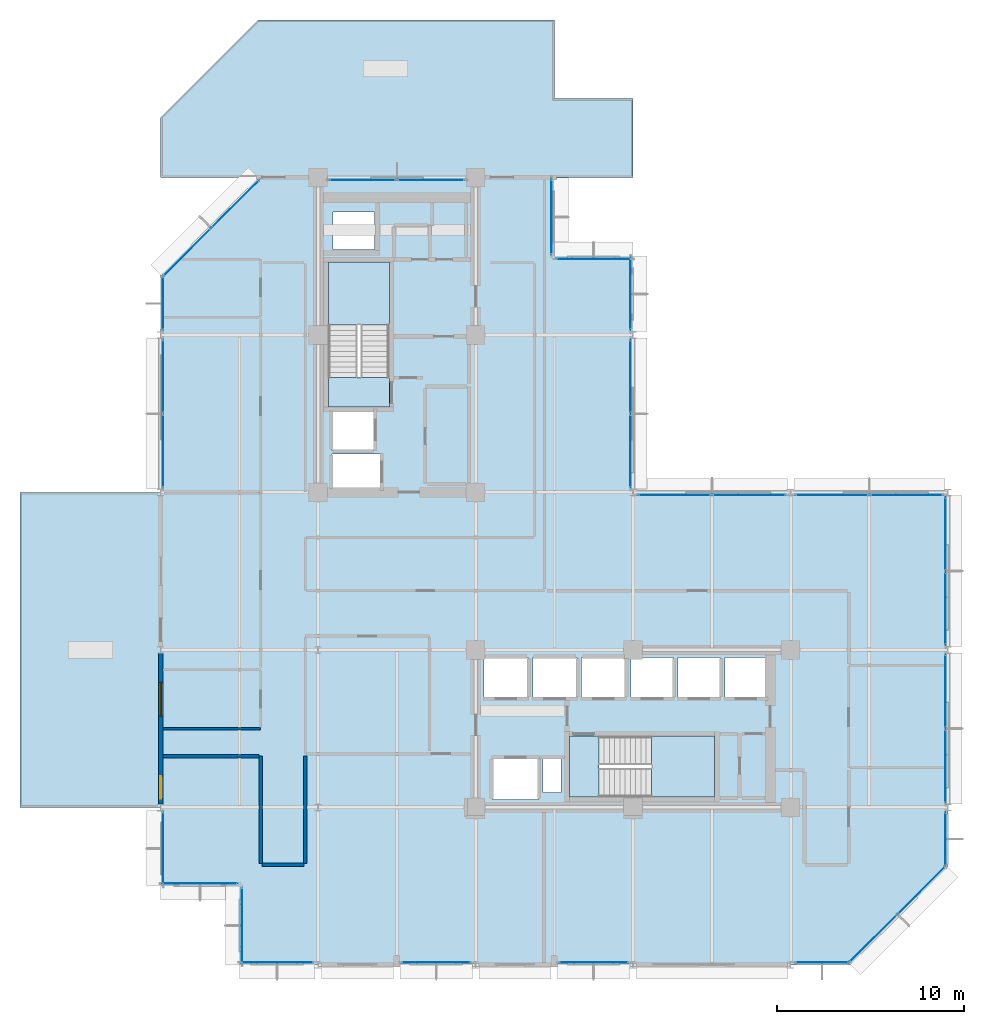
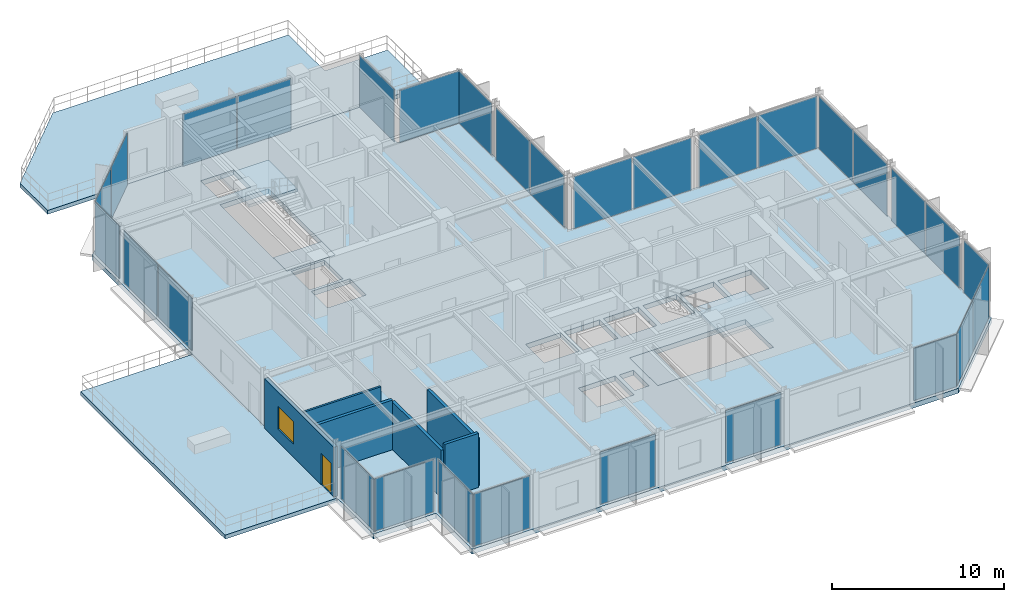
# One storey, part 14 of 21: 30 plates, 7 slabs, 6 walls, 1 door, 1 window, 2 openings, 23 elements without a shape of their own.
"""IFC4 building model written with IfcOpenShell, lengths in metres."""

import ifcopenshell
import ifcopenshell.guid

model = None  # the IFC model being written
_history = None  # IfcOwnerHistory: only IFC2X3 demands one
_inside = {}  # id of a spatial element -> (the spatial element, [elements in it])
_under = {}  # id of a project, library or spatial element -> (it, [spatial elements below it])
_declared = {}  # id of a project -> (the project, [libraries it declares])
_typed = {}  # id of a type object -> (the type object, [elements of that type])
_made_of = {}  # id of a material, layer set ... -> (it, [elements and type objects made of it])


def new_model(schema):
    """Start an empty IFC model of exactly this schema.

    Asked for "IFC4X3", IfcOpenShell would pick the latest addendum, in which some entities
    have other attributes; the version numbers below select the first issue.
    IFC2X3 requires an IfcOwnerHistory on every rooted entity: one is made here for all.
    """
    global model, _history
    if schema == "IFC4X3":
        model = ifcopenshell.file(schema_version=(4, 3, 0, 0))
    else:
        model = ifcopenshell.file(schema=schema)
    _inside.clear()
    _under.clear()
    _declared.clear()
    _typed.clear()
    _made_of.clear()
    _history = None
    if model.schema == "IFC2X3":
        org = make("IfcOrganization", Name="unknown")
        user = make(
            "IfcPersonAndOrganization",
            ThePerson=make("IfcPerson", FamilyName="unknown"),
            TheOrganization=org,
        )
        app = make(
            "IfcApplication",
            ApplicationDeveloper=org,
            Version="unknown",
            ApplicationFullName="unknown",
            ApplicationIdentifier="unknown",
        )
        _history = make(
            "IfcOwnerHistory",
            OwningUser=user,
            OwningApplication=app,
            ChangeAction="ADDED",
            CreationDate=0,
        )
    return model


def make(cls, **values):
    """One entity of the class cls with the attributes given. An attribute that is None is left unset."""
    return model.create_entity(
        cls, **{name: value for name, value in values.items() if value is not None}
    )


def rooted(cls, **values):
    """An entity with a GlobalId (a new one), such as an element, a storey or a relation."""
    return make(cls, GlobalId=ifcopenshell.guid.new(), OwnerHistory=_history, **values)


def si_unit(unit_type, name, prefix=None):
    """IfcSIUnit, for example si_unit("LENGTHUNIT", "METRE", prefix="MILLI")."""
    return make("IfcSIUnit", UnitType=unit_type, Prefix=prefix, Name=name)


def assignment(units):
    """IfcUnitAssignment: the units of a project."""
    return None if units is None else make("IfcUnitAssignment", Units=units)


def point(xyz):
    """IfcCartesianPoint."""
    return None if xyz is None else make("IfcCartesianPoint", Coordinates=xyz)


def direction(xyz):
    """IfcDirection."""
    return None if xyz is None else make("IfcDirection", DirectionRatios=xyz)


def frame(location, z_axis=None, x_axis=None):
    """IfcAxis2Placement3D, a coordinate frame: its origin and axes. An axis left out is left unset."""
    return make(
        "IfcAxis2Placement3D",
        Location=point(location),
        Axis=direction(z_axis),
        RefDirection=direction(x_axis),
    )


def frame_2d(location, x_axis=None):
    """IfcAxis2Placement2D, a coordinate frame in the plane: its origin and x axis."""
    return make(
        "IfcAxis2Placement2D", Location=point(location), RefDirection=direction(x_axis)
    )


def origin():
    """The frame at (0, 0, 0) with its axes left unset."""
    return frame((0.0, 0.0, 0.0))


def origin_2d():
    """The frame at (0, 0) in the plane with its x axis left unset."""
    return frame_2d((0.0, 0.0))


def place(relative_to, where):
    """IfcLocalPlacement: puts the frame where relative to a parent placement (None: the world)."""
    return make(
        "IfcLocalPlacement", PlacementRelTo=relative_to, RelativePlacement=where
    )


def context(
    kind, dimensions, precision=None, world=None, true_north=None, identifier=None
):
    """IfcGeometricRepresentationContext, for example the 3D "Model" context."""
    return make(
        "IfcGeometricRepresentationContext",
        ContextIdentifier=identifier,
        ContextType=kind,
        CoordinateSpaceDimension=dimensions,
        Precision=precision,
        WorldCoordinateSystem=world,
        TrueNorth=true_north,
    )


def subcontext(parent, identifier, kind, view, scale=None):
    """IfcGeometricRepresentationSubContext, for example "Body" below "Model"."""
    return make(
        "IfcGeometricRepresentationSubContext",
        ContextIdentifier=identifier,
        ContextType=kind,
        ParentContext=parent,
        TargetScale=scale,
        TargetView=view,
    )


def project(units=None, contexts=None):
    """IfcProject with its units and contexts."""
    return rooted(
        "IfcProject",
        Name="project",
        RepresentationContexts=contexts,
        UnitsInContext=assignment(units),
    )


def spatial(cls, under=None, at=None, **own):
    """A site, building, storey or space (cls), placed at a placement, below another one or the project."""
    s = rooted(cls, ObjectPlacement=at, **own)
    if under is not None:
        _under.setdefault(under.id(), (under, []))[1].append(s)
    return s


def polyline(points):
    """IfcPolyline through the points."""
    return make("IfcPolyline", Points=[point(p) for p in points])


def profile(cls, at=None, kind="AREA", **sizes):
    """A parametric profile (cls). Its sizes go by their IFC names, for example OverallWidth=200.0."""
    return make(cls, ProfileType=kind, Position=at, **sizes)


def rectangle(**sizes):
    """IfcRectangleProfileDef."""
    return profile("IfcRectangleProfileDef", **sizes)


def outline(outer, holes=None, kind="AREA"):
    """IfcArbitraryClosedProfileDef: a profile drawn as a closed curve; with holes, ...WithVoids."""
    if holes is None:
        return make("IfcArbitraryClosedProfileDef", ProfileType=kind, OuterCurve=outer)
    return make(
        "IfcArbitraryProfileDefWithVoids",
        ProfileType=kind,
        OuterCurve=outer,
        InnerCurves=holes,
    )


def extrude(swept, where, along, depth):
    """IfcExtrudedAreaSolid: the profile swept, set in the frame where, extruded along a direction by depth."""
    return make(
        "IfcExtrudedAreaSolid",
        SweptArea=swept,
        Position=where,
        ExtrudedDirection=direction(along),
        Depth=depth,
    )


def shape(context_of_items, identifier, shape_type, items):
    """IfcShapeRepresentation: the items that make up one representation, for example the "Body"."""
    return make(
        "IfcShapeRepresentation",
        ContextOfItems=context_of_items,
        RepresentationIdentifier=identifier,
        RepresentationType=shape_type,
        Items=items,
    )


def material(Name=None, Category=None):
    """IfcMaterial."""
    return make("IfcMaterial", Name=Name, Category=Category)


def layer(
    of_material, thickness, ventilated=None, Name=None, Category=None, Priority=None
):
    """IfcMaterialLayer: one layer of a wall or slab, of a material (None: an air gap)."""
    return make(
        "IfcMaterialLayer",
        Material=of_material,
        LayerThickness=thickness,
        IsVentilated=ventilated,
        Name=Name,
        Category=Category,
        Priority=Priority,
    )


def layer_set(layers, Name=None):
    """IfcMaterialLayerSet."""
    return make("IfcMaterialLayerSet", MaterialLayers=layers, LayerSetName=Name)


def made_of(thing, what):
    """Note that an element or type object is made of a material, layer set ...; save() writes the relation."""
    if what is not None:
        _made_of.setdefault(what.id(), (what, []))[1].append(thing)
    return thing


def type_object(cls, material=None, **own):
    """A type object (cls), such as IfcWallType, which elements share."""
    return made_of(rooted(cls, **own), material)


def element(
    cls,
    number,
    at=None,
    inside=None,
    cuts=None,
    type_object=None,
    material=None,
    context=None,
    identifier="Body",
    shape_type=None,
    held_by="IfcProductDefinitionShape",
    body=None,
    shapes=None,
    **own,
):
    """One element of the class cls, such as IfcWall. Its Tag is "e" and its number.

    at: its placement. inside: the storey or other place that contains it. cuts: it is an
    opening in that element (IfcRelVoidsElement). A single representation is given by context,
    identifier, shape_type and body (its items); several are given by shapes. held_by: the class
    of the entity that holds the representations. save() writes the other relations.
    """
    e = rooted(cls, Tag="e%d" % number, ObjectPlacement=at, **own)
    if body is not None:
        shapes = [shape(context, identifier, shape_type, body)]
    if shapes is not None:
        e.Representation = make(held_by, Representations=shapes)
    if inside is not None:
        _inside.setdefault(inside.id(), (inside, []))[1].append(e)
    if cuts is not None:
        rooted(
            "IfcRelVoidsElement", RelatingBuildingElement=cuts, RelatedOpeningElement=e
        )
    if type_object is not None:
        _typed.setdefault(type_object.id(), (type_object, []))[1].append(e)
    return made_of(e, material)


def fill(opening, filler):
    """IfcRelFillsElement: the door or window that sits in an opening."""
    return rooted(
        "IfcRelFillsElement",
        RelatingOpeningElement=opening,
        RelatedBuildingElement=filler,
    )


def aggregate(whole, parts):
    """IfcRelAggregates: a whole, such as a stair, and the parts it consists of."""
    return rooted("IfcRelAggregates", RelatingObject=whole, RelatedObjects=parts)


def save(model, path):
    """Write the relations noted so far, then the file.

    IfcRelAggregates (storeys below a building ...), IfcRelContainedInSpatialStructure (elements
    in a storey), IfcRelDefinesByType, IfcRelAssociatesMaterial and IfcRelDeclares: one each for
    every whole, place, type object, material and project.
    """
    for whole, parts in _under.values():
        aggregate(whole, parts)
    for where, things in _inside.values():
        rooted(
            "IfcRelContainedInSpatialStructure",
            RelatedElements=things,
            RelatingStructure=where,
        )
    for kind, things in _typed.values():
        rooted("IfcRelDefinesByType", RelatedObjects=things, RelatingType=kind)
    for what, things in _made_of.values():
        rooted("IfcRelAssociatesMaterial", RelatedObjects=things, RelatingMaterial=what)
    for by, libraries in _declared.values():
        rooted("IfcRelDeclares", RelatingContext=by, RelatedDefinitions=libraries)
    model.write(path)


model = new_model("IFC4")

# Units and contexts
model_context = context("Model", 3, precision=1e-05, world=origin(), true_north=direction((0.0, 1.0)))
body_context = subcontext(model_context, "Body", "Model", "MODEL_VIEW")
ifc_project = project(units=[si_unit("LENGTHUNIT", "METRE"), si_unit("AREAUNIT", "SQUARE_METRE"), si_unit("VOLUMEUNIT", "CUBIC_METRE"), si_unit("PLANEANGLEUNIT", "RADIAN"), si_unit("MASSUNIT", "GRAM", prefix="KILO")], contexts=[model_context])

# Site, building, storey
site_placement = place(None, origin())
site = spatial("IfcSite", under=ifc_project, at=site_placement, CompositionType="ELEMENT")
building_placement = place(site_placement, origin())
building = spatial("IfcBuilding", under=site, at=building_placement, Name="Nerrivon Quay Data Exchange", CompositionType="ELEMENT")
storey_placement = place(building_placement, frame((0.0, 0.0, 220.60009765625)))
storey = spatial("IfcBuildingStorey", under=building, at=storey_placement, Name="L52", CompositionType="ELEMENT", Elevation=220.60009765625)

# Curtain wall, plates
ifc_material_1 = material(Name="Anodised aluminium 6063-T6", Category="aluminium")
ifc_layer_1 = layer(ifc_material_1, 0.22998046875)
ifc_layer_set_1 = layer_set([ifc_layer_1], Name="Anodised aluminium 6063-T6")
curtain_wall_type = type_object("IfcCurtainWallType", Name="CW-SYS-05", PredefinedType="NOTDEFINED", material=ifc_layer_set_1)
curtain_wall_1_placement = place(storey_placement, origin())
curtain_wall_1 = element("IfcCurtainWall", 1, at=curtain_wall_1_placement, inside=storey, type_object=curtain_wall_type, Name="L52 Unitised Curtain Wall 1", PredefinedType="NOTDEFINED")
ifc_material_2 = material(Name="Double-glazed low-E solar control glass", Category="glass")
ifc_layer_2 = layer(ifc_material_2, 0.031982421875)
ifc_layer_set_2 = layer_set([ifc_layer_2], Name="Double-glazed low-E solar control glass")
plate_type = type_object("IfcPlateType", Name="CWP-GLZ-32", PredefinedType="CURTAIN_PANEL", material=ifc_layer_set_2)
plate_1_placement = place(storey_placement, frame((40.587646484375, 3.98583984375, 0.06494140625), z_axis=(0.0, 0.0, 1.0), x_axis=(-0.707106781187, -0.707106781187, 0.0)))
plate_1 = element("IfcPlate", 2, at=plate_1_placement, type_object=plate_type, Name="CW05 panel 1.1", PredefinedType="CURTAIN_PANEL", context=body_context, shape_type="SweptSolid", body=[
    extrude(rectangle(XDim=3.564453125, YDim=0.028076171875, at=origin_2d()), origin(), (0.0, 0.0, 1.0), 3.695068359375),
])
plate_2_placement = place(storey_placement, frame((38.01416015625, 1.412353515625, 0.06494140625), z_axis=(0.0, 0.0, 1.0), x_axis=(-0.707106781187, -0.707106781187, 0.0)))
plate_2 = element("IfcPlate", 3, at=plate_2_placement, type_object=plate_type, Name="CW05 panel 2.1", PredefinedType="CURTAIN_PANEL", context=body_context, shape_type="SweptSolid", body=[
    extrude(rectangle(XDim=3.564453125, YDim=0.028076171875, at=origin_2d()), origin(), (0.0, 0.0, 1.0), 3.695068359375),
])
aggregate(curtain_wall_1, [plate_1, plate_2])

# Curtain wall, plate
curtain_wall_2_placement = place(storey_placement, origin())
curtain_wall_2 = element("IfcCurtainWall", 4, at=curtain_wall_2_placement, inside=storey, type_object=curtain_wall_type, Name="L52 Unitised Curtain Wall 2", PredefinedType="NOTDEFINED")
plate_3_placement = place(storey_placement, frame((35.28759765625, 0.139892578125, 0.06494140625), z_axis=(0.0, 0.0, 1.0), x_axis=(-1.0, 0.0, 0.0)))
plate_3 = element("IfcPlate", 5, at=plate_3_placement, type_object=plate_type, Name="CW05 panel 1.1", PredefinedType="CURTAIN_PANEL", context=body_context, shape_type="SweptSolid", body=[
    extrude(rectangle(XDim=2.875, YDim=0.028076171875, at=origin_2d()), origin(), (0.0, 0.0, 1.0), 3.695068359375),
])
aggregate(curtain_wall_2, [plate_3])

curtain_wall_3_placement = place(storey_placement, origin())
curtain_wall_3 = element("IfcCurtainWall", 6, at=curtain_wall_3_placement, inside=storey, type_object=curtain_wall_type, Name="L52 Unitised Curtain Wall 4", PredefinedType="NOTDEFINED")
plate_4_placement = place(storey_placement, frame((23.10009765625, 0.139892578125, 0.06494140625), z_axis=(0.0, 0.0, 1.0), x_axis=(-1.0, 0.0, 0.0)))
plate_4 = element("IfcPlate", 7, at=plate_4_placement, type_object=plate_type, Name="CW05 panel 1.1", PredefinedType="CURTAIN_PANEL", context=body_context, shape_type="SweptSolid", body=[
    extrude(rectangle(XDim=3.699951171875, YDim=0.028076171875, at=origin_2d()), origin(), (0.0, 0.0, 1.0), 3.695068359375),
])
aggregate(curtain_wall_3, [plate_4])

curtain_wall_4_placement = place(storey_placement, origin())
curtain_wall_4 = element("IfcCurtainWall", 8, at=curtain_wall_4_placement, inside=storey, type_object=curtain_wall_type, Name="L52 Unitised Curtain Wall 6", PredefinedType="NOTDEFINED")
plate_5_placement = place(storey_placement, frame((14.699951171875, 0.139892578125, 0.06494140625), z_axis=(0.0, 0.0, 1.0), x_axis=(-1.0, 0.0, 0.0)))
plate_5 = element("IfcPlate", 9, at=plate_5_placement, type_object=plate_type, Name="CW05 panel 1.1", PredefinedType="CURTAIN_PANEL", context=body_context, shape_type="SweptSolid", body=[
    extrude(rectangle(XDim=3.699951171875, YDim=0.028076171875, at=origin_2d()), origin(), (0.0, 0.0, 1.0), 3.695068359375),
])
aggregate(curtain_wall_4, [plate_5])

curtain_wall_5_placement = place(storey_placement, origin())
curtain_wall_5 = element("IfcCurtainWall", 10, at=curtain_wall_5_placement, inside=storey, type_object=curtain_wall_type, Name="L52 Unitised Curtain Wall 8", PredefinedType="NOTDEFINED")
plate_6_placement = place(storey_placement, frame((6.21240234375, 0.139892578125, 0.06494140625), z_axis=(0.0, 0.0, 1.0), x_axis=(-1.0, 0.0, 0.0)))
plate_6 = element("IfcPlate", 11, at=plate_6_placement, type_object=plate_type, Name="CW05 panel 1.1", PredefinedType="CURTAIN_PANEL", context=body_context, shape_type="SweptSolid", body=[
    extrude(rectangle(XDim=3.875, YDim=0.028076171875, at=origin_2d()), origin(), (0.0, 0.0, 1.0), 3.695068359375),
])
aggregate(curtain_wall_5, [plate_6])

curtain_wall_6_placement = place(storey_placement, origin())
curtain_wall_6 = element("IfcCurtainWall", 12, at=curtain_wall_6_placement, inside=storey, type_object=curtain_wall_type, Name="L52 Unitised Curtain Wall 9", PredefinedType="NOTDEFINED")
plate_7_placement = place(storey_placement, frame((4.340087890625, 2.10009765625, 0.06494140625), z_axis=(0.0, 0.0, 1.0), x_axis=(0.0, 1.0, 0.0)))
plate_7 = element("IfcPlate", 13, at=plate_7_placement, type_object=plate_type, Name="CW05 panel 1.1", PredefinedType="CURTAIN_PANEL", context=body_context, shape_type="SweptSolid", body=[
    extrude(rectangle(XDim=4.050048828125, YDim=0.028076171875, at=origin_2d()), origin(), (0.0, 0.0, 1.0), 3.695068359375),
])
aggregate(curtain_wall_6, [plate_7])

curtain_wall_7_placement = place(storey_placement, origin())
curtain_wall_7 = element("IfcCurtainWall", 14, at=curtain_wall_7_placement, inside=storey, type_object=curtain_wall_type, Name="L52 Unitised Curtain Wall 10", PredefinedType="NOTDEFINED")
plate_8_placement = place(storey_placement, frame((2.10009765625, 4.340087890625, 0.06494140625), z_axis=(0.0, 0.0, 1.0), x_axis=(-1.0, 0.0, 0.0)))
plate_8 = element("IfcPlate", 15, at=plate_8_placement, type_object=plate_type, Name="CW05 panel 1.1", PredefinedType="CURTAIN_PANEL", context=body_context, shape_type="SweptSolid", body=[
    extrude(rectangle(XDim=4.050048828125, YDim=0.028076171875, at=origin_2d()), origin(), (0.0, 0.0, 1.0), 3.695068359375),
])
aggregate(curtain_wall_7, [plate_8])

curtain_wall_8_placement = place(storey_placement, origin())
curtain_wall_8 = element("IfcCurtainWall", 16, at=curtain_wall_8_placement, inside=storey, type_object=curtain_wall_type, Name="L52 Unitised Curtain Wall 11", PredefinedType="NOTDEFINED")
plate_9_placement = place(storey_placement, frame((0.139892578125, 6.21240234375, 0.06494140625), z_axis=(0.0, 0.0, 1.0), x_axis=(0.0, 1.0, 0.0)))
plate_9 = element("IfcPlate", 17, at=plate_9_placement, type_object=plate_type, Name="CW05 panel 1.1", PredefinedType="CURTAIN_PANEL", context=body_context, shape_type="SweptSolid", body=[
    extrude(rectangle(XDim=3.875, YDim=0.028076171875, at=origin_2d()), origin(), (0.0, 0.0, 1.0), 3.695068359375),
])
aggregate(curtain_wall_8, [plate_9])

# Curtain wall, plates
curtain_wall_9_placement = place(storey_placement, origin())
curtain_wall_9 = element("IfcCurtainWall", 18, at=curtain_wall_9_placement, inside=storey, type_object=curtain_wall_type, Name="L52 Unitised Curtain Wall 14", PredefinedType="NOTDEFINED")
plate_10_placement = place(storey_placement, frame((0.139892578125, 27.40625, 0.06494140625), z_axis=(0.0, 0.0, 1.0), x_axis=(0.0, 1.0, 0.0)))
plate_10 = element("IfcPlate", 19, at=plate_10_placement, type_object=plate_type, Name="CW05 panel 1.1", PredefinedType="CURTAIN_PANEL", context=body_context, shape_type="SweptSolid", body=[
    extrude(rectangle(XDim=3.91259765625, YDim=0.028076171875, at=origin_2d()), origin(), (0.0, 0.0, 1.0), 3.695068359375),
])
plate_11_placement = place(storey_placement, frame((0.139892578125, 31.393798828125, 0.06494140625), z_axis=(0.0, 0.0, 1.0), x_axis=(0.0, 1.0, 0.0)))
plate_11 = element("IfcPlate", 20, at=plate_11_placement, type_object=plate_type, Name="CW05 panel 2.1", PredefinedType="CURTAIN_PANEL", context=body_context, shape_type="SweptSolid", body=[
    extrude(rectangle(XDim=3.91259765625, YDim=0.028076171875, at=origin_2d()), origin(), (0.0, 0.0, 1.0), 3.695068359375),
])
aggregate(curtain_wall_9, [plate_10, plate_11])

# Curtain wall, plate
curtain_wall_10_placement = place(storey_placement, origin())
curtain_wall_10 = element("IfcCurtainWall", 21, at=curtain_wall_10_placement, inside=storey, type_object=curtain_wall_type, Name="L52 Unitised Curtain Wall 15", PredefinedType="NOTDEFINED")
plate_12_placement = place(storey_placement, frame((0.139892578125, 35.28759765625, 0.06494140625), z_axis=(0.0, 0.0, 1.0), x_axis=(0.0, 1.0, 0.0)))
plate_12 = element("IfcPlate", 22, at=plate_12_placement, type_object=plate_type, Name="CW05 panel 1.1", PredefinedType="CURTAIN_PANEL", context=body_context, shape_type="SweptSolid", body=[
    extrude(rectangle(XDim=2.875, YDim=0.028076171875, at=origin_2d()), origin(), (0.0, 0.0, 1.0), 3.695068359375),
])
aggregate(curtain_wall_10, [plate_12])

# Curtain wall, plates
curtain_wall_11_placement = place(storey_placement, origin())
curtain_wall_11 = element("IfcCurtainWall", 23, at=curtain_wall_11_placement, inside=storey, type_object=curtain_wall_type, Name="L52 Unitised Curtain Wall 16", PredefinedType="NOTDEFINED")
plate_13_placement = place(storey_placement, frame((1.412353515625, 38.01416015625, 0.06494140625), z_axis=(0.0, 0.0, 1.0), x_axis=(0.707106781187, 0.707106781187, 0.0)))
plate_13 = element("IfcPlate", 24, at=plate_13_placement, type_object=plate_type, Name="CW05 panel 1.1", PredefinedType="CURTAIN_PANEL", context=body_context, shape_type="SweptSolid", body=[
    extrude(rectangle(XDim=3.564453125, YDim=0.028076171875, at=origin_2d()), origin(), (0.0, 0.0, 1.0), 3.695068359375),
])
plate_14_placement = place(storey_placement, frame((3.98583984375, 40.587646484375, 0.06494140625), z_axis=(0.0, 0.0, 1.0), x_axis=(0.707106781187, 0.707106781187, 0.0)))
plate_14 = element("IfcPlate", 25, at=plate_14_placement, type_object=plate_type, Name="CW05 panel 2.1", PredefinedType="CURTAIN_PANEL", context=body_context, shape_type="SweptSolid", body=[
    extrude(rectangle(XDim=3.564453125, YDim=0.028076171875, at=origin_2d()), origin(), (0.0, 0.0, 1.0), 3.695068359375),
])
aggregate(curtain_wall_11, [plate_13, plate_14])

curtain_wall_12_placement = place(storey_placement, origin())
curtain_wall_12 = element("IfcCurtainWall", 26, at=curtain_wall_12_placement, inside=storey, type_object=curtain_wall_type, Name="L52 Unitised Curtain Wall 18", PredefinedType="NOTDEFINED")
plate_15_placement = place(storey_placement, frame((10.768798828125, 41.860107421875, 0.06494140625), z_axis=(0.0, 0.0, 1.0), x_axis=(1.0, 0.0, 0.0)))
plate_15 = element("IfcPlate", 27, at=plate_15_placement, type_object=plate_type, Name="CW05 panel 1.1", PredefinedType="CURTAIN_PANEL", context=body_context, shape_type="SweptSolid", body=[
    extrude(rectangle(XDim=3.58740234375, YDim=0.028076171875, at=origin_2d()), origin(), (0.0, 0.0, 1.0), 3.695068359375),
])
plate_16_placement = place(storey_placement, frame((14.43115234375, 41.860107421875, 0.06494140625), z_axis=(0.0, 0.0, 1.0), x_axis=(1.0, 0.0, 0.0)))
plate_16 = element("IfcPlate", 28, at=plate_16_placement, type_object=plate_type, Name="CW05 panel 2.1", PredefinedType="CURTAIN_PANEL", context=body_context, shape_type="SweptSolid", body=[
    extrude(rectangle(XDim=3.58740234375, YDim=0.028076171875, at=origin_2d()), origin(), (0.0, 0.0, 1.0), 3.695068359375),
])
aggregate(curtain_wall_12, [plate_15, plate_16])

# Curtain wall, plate
curtain_wall_13_placement = place(storey_placement, origin())
curtain_wall_13 = element("IfcCurtainWall", 29, at=curtain_wall_13_placement, inside=storey, type_object=curtain_wall_type, Name="L52 Unitised Curtain Wall 20", PredefinedType="NOTDEFINED")
plate_17_placement = place(storey_placement, frame((20.860107421875, 39.89990234375, 0.06494140625), z_axis=(0.0, 0.0, 1.0), x_axis=(0.0, -1.0, 0.0)))
plate_17 = element("IfcPlate", 30, at=plate_17_placement, type_object=plate_type, Name="CW05 panel 1.1", PredefinedType="CURTAIN_PANEL", context=body_context, shape_type="SweptSolid", body=[
    extrude(rectangle(XDim=4.050048828125, YDim=0.028076171875, at=origin_2d()), origin(), (0.0, 0.0, 1.0), 3.695068359375),
])
aggregate(curtain_wall_13, [plate_17])

curtain_wall_14_placement = place(storey_placement, origin())
curtain_wall_14 = element("IfcCurtainWall", 31, at=curtain_wall_14_placement, inside=storey, type_object=curtain_wall_type, Name="L52 Unitised Curtain Wall 21", PredefinedType="NOTDEFINED")
plate_18_placement = place(storey_placement, frame((23.10009765625, 37.659912109375, 0.06494140625), z_axis=(0.0, 0.0, 1.0), x_axis=(1.0, 0.0, 0.0)))
plate_18 = element("IfcPlate", 32, at=plate_18_placement, type_object=plate_type, Name="CW05 panel 1.1", PredefinedType="CURTAIN_PANEL", context=body_context, shape_type="SweptSolid", body=[
    extrude(rectangle(XDim=4.050048828125, YDim=0.028076171875, at=origin_2d()), origin(), (0.0, 0.0, 1.0), 3.695068359375),
])
aggregate(curtain_wall_14, [plate_18])

curtain_wall_15_placement = place(storey_placement, origin())
curtain_wall_15 = element("IfcCurtainWall", 33, at=curtain_wall_15_placement, inside=storey, type_object=curtain_wall_type, Name="L52 Unitised Curtain Wall 22", PredefinedType="NOTDEFINED")
plate_19_placement = place(storey_placement, frame((25.06005859375, 35.78759765625, 0.06494140625), z_axis=(0.0, 0.0, 1.0), x_axis=(0.0, -1.0, 0.0)))
plate_19 = element("IfcPlate", 34, at=plate_19_placement, type_object=plate_type, Name="CW05 panel 1.1", PredefinedType="CURTAIN_PANEL", context=body_context, shape_type="SweptSolid", body=[
    extrude(rectangle(XDim=3.875, YDim=0.028076171875, at=origin_2d()), origin(), (0.0, 0.0, 1.0), 3.695068359375),
])
aggregate(curtain_wall_15, [plate_19])

# Curtain wall, plates
curtain_wall_16_placement = place(storey_placement, origin())
curtain_wall_16 = element("IfcCurtainWall", 35, at=curtain_wall_16_placement, inside=storey, type_object=curtain_wall_type, Name="L52 Unitised Curtain Wall 23", PredefinedType="NOTDEFINED")
plate_20_placement = place(storey_placement, frame((25.06005859375, 31.393798828125, 0.06494140625), z_axis=(0.0, 0.0, 1.0), x_axis=(0.0, -1.0, 0.0)))
plate_20 = element("IfcPlate", 36, at=plate_20_placement, type_object=plate_type, Name="CW05 panel 1.1", PredefinedType="CURTAIN_PANEL", context=body_context, shape_type="SweptSolid", body=[
    extrude(rectangle(XDim=3.91259765625, YDim=0.028076171875, at=origin_2d()), origin(), (0.0, 0.0, 1.0), 3.695068359375),
])
plate_21_placement = place(storey_placement, frame((25.06005859375, 27.40625, 0.06494140625), z_axis=(0.0, 0.0, 1.0), x_axis=(0.0, -1.0, 0.0)))
plate_21 = element("IfcPlate", 37, at=plate_21_placement, type_object=plate_type, Name="CW05 panel 2.1", PredefinedType="CURTAIN_PANEL", context=body_context, shape_type="SweptSolid", body=[
    extrude(rectangle(XDim=3.91259765625, YDim=0.028076171875, at=origin_2d()), origin(), (0.0, 0.0, 1.0), 3.695068359375),
])
aggregate(curtain_wall_16, [plate_20, plate_21])

curtain_wall_17_placement = place(storey_placement, origin())
curtain_wall_17 = element("IfcCurtainWall", 38, at=curtain_wall_17_placement, inside=storey, type_object=curtain_wall_type, Name="L52 Unitised Curtain Wall 24", PredefinedType="NOTDEFINED")
plate_22_placement = place(storey_placement, frame((27.40625, 25.06005859375, 0.06494140625), z_axis=(0.0, 0.0, 1.0), x_axis=(1.0, 0.0, 0.0)))
plate_22 = element("IfcPlate", 39, at=plate_22_placement, type_object=plate_type, Name="CW05 panel 1.1", PredefinedType="CURTAIN_PANEL", context=body_context, shape_type="SweptSolid", body=[
    extrude(rectangle(XDim=3.91259765625, YDim=0.028076171875, at=origin_2d()), origin(), (0.0, 0.0, 1.0), 3.695068359375),
])
plate_23_placement = place(storey_placement, frame((31.393798828125, 25.06005859375, 0.06494140625), z_axis=(0.0, 0.0, 1.0), x_axis=(1.0, 0.0, 0.0)))
plate_23 = element("IfcPlate", 40, at=plate_23_placement, type_object=plate_type, Name="CW05 panel 2.1", PredefinedType="CURTAIN_PANEL", context=body_context, shape_type="SweptSolid", body=[
    extrude(rectangle(XDim=3.91259765625, YDim=0.028076171875, at=origin_2d()), origin(), (0.0, 0.0, 1.0), 3.695068359375),
])
aggregate(curtain_wall_17, [plate_22, plate_23])

curtain_wall_18_placement = place(storey_placement, origin())
curtain_wall_18 = element("IfcCurtainWall", 41, at=curtain_wall_18_placement, inside=storey, type_object=curtain_wall_type, Name="L52 Unitised Curtain Wall 25", PredefinedType="NOTDEFINED")
plate_24_placement = place(storey_placement, frame((35.80615234375, 25.06005859375, 0.06494140625), z_axis=(0.0, 0.0, 1.0), x_axis=(1.0, 0.0, 0.0)))
plate_24 = element("IfcPlate", 42, at=plate_24_placement, type_object=plate_type, Name="CW05 panel 1.1", PredefinedType="CURTAIN_PANEL", context=body_context, shape_type="SweptSolid", body=[
    extrude(rectangle(XDim=3.91259765625, YDim=0.028076171875, at=origin_2d()), origin(), (0.0, 0.0, 1.0), 3.695068359375),
])
plate_25_placement = place(storey_placement, frame((39.793701171875, 25.06005859375, 0.06494140625), z_axis=(0.0, 0.0, 1.0), x_axis=(1.0, 0.0, 0.0)))
plate_25 = element("IfcPlate", 43, at=plate_25_placement, type_object=plate_type, Name="CW05 panel 2.1", PredefinedType="CURTAIN_PANEL", context=body_context, shape_type="SweptSolid", body=[
    extrude(rectangle(XDim=3.91259765625, YDim=0.028076171875, at=origin_2d()), origin(), (0.0, 0.0, 1.0), 3.695068359375),
])
aggregate(curtain_wall_18, [plate_24, plate_25])

curtain_wall_19_placement = place(storey_placement, origin())
curtain_wall_19 = element("IfcCurtainWall", 44, at=curtain_wall_19_placement, inside=storey, type_object=curtain_wall_type, Name="L52 Unitised Curtain Wall 26", PredefinedType="NOTDEFINED")
plate_26_placement = place(storey_placement, frame((41.860107421875, 22.99365234375, 0.06494140625), z_axis=(0.0, 0.0, 1.0), x_axis=(0.0, -1.0, 0.0)))
plate_26 = element("IfcPlate", 45, at=plate_26_placement, type_object=plate_type, Name="CW05 panel 1.1", PredefinedType="CURTAIN_PANEL", context=body_context, shape_type="SweptSolid", body=[
    extrude(rectangle(XDim=3.91259765625, YDim=0.028076171875, at=origin_2d()), origin(), (0.0, 0.0, 1.0), 3.695068359375),
])
plate_27_placement = place(storey_placement, frame((41.860107421875, 19.00634765625, 0.06494140625), z_axis=(0.0, 0.0, 1.0), x_axis=(0.0, -1.0, 0.0)))
plate_27 = element("IfcPlate", 46, at=plate_27_placement, type_object=plate_type, Name="CW05 panel 2.1", PredefinedType="CURTAIN_PANEL", context=body_context, shape_type="SweptSolid", body=[
    extrude(rectangle(XDim=3.91259765625, YDim=0.028076171875, at=origin_2d()), origin(), (0.0, 0.0, 1.0), 3.695068359375),
])
aggregate(curtain_wall_19, [plate_26, plate_27])

curtain_wall_20_placement = place(storey_placement, origin())
curtain_wall_20 = element("IfcCurtainWall", 47, at=curtain_wall_20_placement, inside=storey, type_object=curtain_wall_type, Name="L52 Unitised Curtain Wall 27", PredefinedType="NOTDEFINED")
plate_28_placement = place(storey_placement, frame((41.860107421875, 14.59375, 0.06494140625), z_axis=(0.0, 0.0, 1.0), x_axis=(0.0, -1.0, 0.0)))
plate_28 = element("IfcPlate", 48, at=plate_28_placement, type_object=plate_type, Name="CW05 panel 1.1", PredefinedType="CURTAIN_PANEL", context=body_context, shape_type="SweptSolid", body=[
    extrude(rectangle(XDim=3.91259765625, YDim=0.028076171875, at=origin_2d()), origin(), (0.0, 0.0, 1.0), 3.695068359375),
])
plate_29_placement = place(storey_placement, frame((41.860107421875, 10.606201171875, 0.06494140625), z_axis=(0.0, 0.0, 1.0), x_axis=(0.0, -1.0, 0.0)))
plate_29 = element("IfcPlate", 49, at=plate_29_placement, type_object=plate_type, Name="CW05 panel 2.1", PredefinedType="CURTAIN_PANEL", context=body_context, shape_type="SweptSolid", body=[
    extrude(rectangle(XDim=3.91259765625, YDim=0.028076171875, at=origin_2d()), origin(), (0.0, 0.0, 1.0), 3.695068359375),
])
aggregate(curtain_wall_20, [plate_28, plate_29])

# Curtain wall, plate
curtain_wall_21_placement = place(storey_placement, origin())
curtain_wall_21 = element("IfcCurtainWall", 50, at=curtain_wall_21_placement, inside=storey, type_object=curtain_wall_type, Name="L52 Unitised Curtain Wall 28", PredefinedType="NOTDEFINED")
plate_30_placement = place(storey_placement, frame((41.860107421875, 6.71240234375, 0.06494140625), z_axis=(0.0, 0.0, 1.0), x_axis=(0.0, -1.0, 0.0)))
plate_30 = element("IfcPlate", 51, at=plate_30_placement, type_object=plate_type, Name="CW05 panel 1.1", PredefinedType="CURTAIN_PANEL", context=body_context, shape_type="SweptSolid", body=[
    extrude(rectangle(XDim=2.875, YDim=0.028076171875, at=origin_2d()), origin(), (0.0, 0.0, 1.0), 3.695068359375),
])
aggregate(curtain_wall_21, [plate_30])

# Stair, slab
ifc_material_3 = material(Name="Concrete N50 (50 MPa)", Category="concrete")
stair_type = type_object("IfcStairType", Name="STAIR-DOG-41", PredefinedType="HALF_TURN_STAIR", material=ifc_material_3)
stair_1_placement = place(storey_placement, origin())
stair_1 = element("IfcStair", 52, at=stair_1_placement, inside=storey, type_object=stair_type, Name="L52 West Core Fire Stair ST01", PredefinedType="HALF_TURN_STAIR")
ifc_layer_3 = layer(ifc_material_3, 0.199951171875)
ifc_layer_set_3 = layer_set([ifc_layer_3], Name="Concrete N50 (50 MPa)")
slab_type_1 = type_object("IfcSlabType", Name="SLB-LAND-200", PredefinedType="LANDING", material=ifc_layer_set_3)
slab_1_placement = place(storey_placement, frame((0.0, 0.0, 1.849853515625)))
slab_1 = element("IfcSlab", 53, at=slab_1_placement, type_object=slab_type_1, Name="ST01 landing 1", PredefinedType="LANDING", context=body_context, shape_type="SweptSolid", body=[
    extrude(outline(polyline([(12.199951171875, 34.1298828125), (12.199951171875, 37.5), (8.949951171875, 37.5), (8.949951171875, 34.1298828125), (12.199951171875, 34.1298828125)])), origin(), (0.0, 0.0, 1.0), 0.199951171875),
])
aggregate(stair_1, [slab_1])

# Slab
slab_2_placement = place(storey_placement, frame((0.0, 0.0, -0.2001953125)))
element("IfcSlab", 54, at=slab_2_placement, inside=storey, type_object=slab_type_1, Name="L52 ST01 floor landing", PredefinedType="LANDING", context=body_context, shape_type="SweptSolid", body=[
    extrude(outline(polyline([(12.199951171875, 29.75), (12.199951171875, 31.330078125), (8.949951171875, 31.330078125), (8.949951171875, 29.75), (12.199951171875, 29.75)])), origin(), (0.0, 0.0, 1.0), 0.2001953125),
])

# Stair, slab
stair_2_placement = place(storey_placement, origin())
stair_2 = element("IfcStair", 55, at=stair_2_placement, inside=storey, type_object=stair_type, Name="L52 East Core Fire Stair ST02", PredefinedType="HALF_TURN_STAIR")
slab_3_placement = place(storey_placement, frame((0.0, 0.0, 1.849853515625)))
slab_3 = element("IfcSlab", 56, at=slab_3_placement, type_object=slab_type_1, Name="ST02 landing 1", PredefinedType="LANDING", context=body_context, shape_type="SweptSolid", body=[
    extrude(outline(polyline([(26.179931640625, 8.949951171875), (29.550048828125, 8.949951171875), (29.550048828125, 12.199951171875), (26.179931640625, 12.199951171875), (26.179931640625, 8.949951171875)])), origin(), (0.0, 0.0, 1.0), 0.199951171875),
])
aggregate(stair_2, [slab_3])

# Slabs
slab_4_placement = place(storey_placement, frame((0.0, 0.0, -0.2001953125)))
element("IfcSlab", 57, at=slab_4_placement, inside=storey, type_object=slab_type_1, Name="L52 ST02 floor landing", PredefinedType="LANDING", context=body_context, shape_type="SweptSolid", body=[
    extrude(outline(polyline([(21.800048828125, 8.949951171875), (23.3798828125, 8.949951171875), (23.3798828125, 12.199951171875), (21.800048828125, 12.199951171875), (21.800048828125, 8.949951171875)])), origin(), (0.0, 0.0, 1.0), 0.2001953125),
])
ifc_layer_4 = layer(ifc_material_3, 0.280029296875)
ifc_layer_set_4 = layer_set([ifc_layer_4], Name="Concrete N50 (50 MPa)")
slab_type_2 = type_object("IfcSlabType", Name="SLB-TERR-280", PredefinedType="FLOOR", material=ifc_layer_set_4)
slab_5_placement = place(storey_placement, frame((0.0, 0.0, -0.280029296875)))
element("IfcSlab", 58, at=slab_5_placement, inside=storey, type_object=slab_type_2, Name="L52 North Setback Sky-Garden Terrace", PredefinedType="FLOOR", context=body_context, shape_type="SweptSolid", body=[
    extrude(outline(polyline([(25.199951171875, 46.199951171875), (21.0, 46.199951171875), (21.0, 50.39990234375), (5.199951171875, 50.39990234375), (0.0, 45.199951171875), (0.0, 42.0), (25.199951171875, 42.0), (25.199951171875, 46.199951171875)])), origin(), (0.0, 0.0, 1.0), 0.280029296875),
])
slab_6_placement = place(storey_placement, frame((0.0, 0.0, -0.280029296875)))
element("IfcSlab", 59, at=slab_6_placement, inside=storey, type_object=slab_type_2, Name="L52 West Hooked Block Sky-Garden Terrace", PredefinedType="FLOOR", context=body_context, shape_type="SweptSolid", body=[
    extrude(outline(polyline([(0.0, 8.39990234375), (0.0, 25.199951171875), (-7.5, 25.199951171875), (-7.5, 8.39990234375), (0.0, 8.39990234375)])), origin(), (0.0, 0.0, 1.0), 0.280029296875),
])
ifc_material_4 = material(Name="Concrete S65 (65 MPa)", Category="concrete")
ifc_layer_5 = layer(ifc_material_4, 0.35009765625)
ifc_layer_set_5 = layer_set([ifc_layer_5], Name="Concrete S65 (65 MPa)")
slab_type_3 = type_object("IfcSlabType", Name="SLB-TRANS-350", PredefinedType="FLOOR", material=ifc_layer_set_5)
slab_7_placement = place(storey_placement, frame((0.0, 0.0, -0.35009765625)))
element("IfcSlab", 60, at=slab_7_placement, inside=storey, type_object=slab_type_3, Name="L52 Primary Structural Slab", PredefinedType="FLOOR", context=body_context, shape_type="SweptSolid", body=[
    extrude(outline(polyline([(42.0, 25.199951171875), (25.199951171875, 25.199951171875), (25.199951171875, 37.800048828125), (21.0, 37.800048828125), (21.0, 42.0), (5.199951171875, 42.0), (0.0, 36.800048828125), (0.0, 4.199951171875), (4.199951171875, 4.199951171875), (4.199951171875, 0.0), (36.800048828125, 0.0), (42.0, 5.199951171875), (42.0, 25.199951171875)]), holes=[polyline([(8.949951171875, 29.75), (8.949951171875, 37.5), (12.199951171875, 37.5), (12.199951171875, 29.75), (8.949951171875, 29.75)]), polyline([(21.800048828125, 12.199951171875), (29.550048828125, 12.199951171875), (29.550048828125, 8.949951171875), (21.800048828125, 8.949951171875), (21.800048828125, 12.199951171875)]), polyline([(30.10009765625, 16.39990234375), (32.35009765625, 16.39990234375), (32.35009765625, 14.25), (30.10009765625, 14.25), (30.10009765625, 16.39990234375)]), polyline([(27.60009765625, 16.39990234375), (29.85009765625, 16.39990234375), (29.85009765625, 14.25), (27.60009765625, 14.25), (27.60009765625, 16.39990234375)]), polyline([(25.10009765625, 14.25), (25.10009765625, 16.39990234375), (27.35009765625, 16.39990234375), (27.35009765625, 14.25), (25.10009765625, 14.25)]), polyline([(22.449951171875, 16.39990234375), (24.800048828125, 16.39990234375), (24.800048828125, 14.25), (22.449951171875, 14.25), (22.449951171875, 16.39990234375)]), polyline([(19.85009765625, 16.39990234375), (22.199951171875, 16.39990234375), (22.199951171875, 14.25), (19.85009765625, 14.25), (19.85009765625, 16.39990234375)]), polyline([(20.39990234375, 9.199951171875), (20.39990234375, 11.0), (21.35009765625, 11.0), (21.35009765625, 9.199951171875), (20.39990234375, 9.199951171875)]), polyline([(17.699951171875, 8.830078125), (17.699951171875, 11.030029296875), (20.14990234375, 11.030029296875), (20.14990234375, 8.830078125), (17.699951171875, 8.830078125)]), polyline([(17.25, 14.25), (17.25, 16.39990234375), (19.60009765625, 16.39990234375), (19.60009765625, 14.25), (17.25, 14.25)]), polyline([(9.14990234375, 27.25), (11.75, 27.25), (11.75, 25.35009765625), (9.14990234375, 25.35009765625), (9.14990234375, 27.25)]), polyline([(9.14990234375, 29.60009765625), (11.39990234375, 29.60009765625), (11.39990234375, 27.449951171875), (9.14990234375, 27.449951171875), (9.14990234375, 29.60009765625)]), polyline([(9.199951171875, 38.14990234375), (9.199951171875, 40.14990234375), (11.39990234375, 40.14990234375), (11.39990234375, 38.14990234375), (9.199951171875, 38.14990234375)])]), origin(), (0.0, 0.0, 1.0), 0.35009765625),
])

# Wall, openings, door, window
ifc_material_5 = material(Name="Architectural terracotta precast concrete N50 (50 MPa)", Category="masonry")
ifc_layer_6 = layer(ifc_material_5, 0.239990234375)
ifc_layer_set_6 = layer_set([ifc_layer_6], Name="Architectural terracotta precast concrete N50 (50 MPa)")
wall_type_1 = type_object("IfcWallType", Name="EW-PREC-240", PredefinedType="STANDARD", material=ifc_layer_set_6)
wall_1_placement = place(storey_placement, frame((0.0, 8.574951171875, 0.0), z_axis=(0.0, 0.0, 1.0), x_axis=(0.0, 1.0, 0.0)))
wall_1 = element("IfcWall", 61, at=wall_1_placement, inside=storey, type_object=wall_type_1, Name="L52 Terrace Host Wall 12", PredefinedType="STANDARD", context=body_context, shape_type="SweptSolid", body=[
    extrude(rectangle(XDim=8.050048828125, YDim=0.239990234375, at=frame_2d((4.02490234375, 0.0))), origin(), (0.0, 0.0, 1.0), 3.52490234375),
])
opening_1_placement = place(wall_1_placement, frame((0.300048828125, 0.0, 0.0)))
opening_1 = element("IfcOpeningElement", 62, at=opening_1_placement, cuts=wall_1, Name="Opening TD1", PredefinedType="OPENING", context=body_context, shape_type="SweptSolid", body=[
    extrude(rectangle(XDim=1.199951171875, YDim=2.199951171875, at=frame_2d((0.60009765625, 1.10009765625))), frame((0.0, 0.1298828125, 0.0), z_axis=(0.0, -1.0, 0.0), x_axis=(1.0, 0.0, 0.0)), (0.0, 0.0, 1.0), 0.260009765625),
])
opening_2_placement = place(wall_1_placement, frame((4.699951171875, 0.0, 0.89990234375)))
opening_2 = element("IfcOpeningElement", 63, at=opening_2_placement, cuts=wall_1, Name="Opening WN2", PredefinedType="OPENING", context=body_context, shape_type="SweptSolid", body=[
    extrude(rectangle(XDim=1.800048828125, YDim=1.60009765625, at=frame_2d((0.89990234375, 0.800048828125))), frame((0.0, 0.1298828125, 0.0), z_axis=(0.0, -1.0, 0.0), x_axis=(1.0, 0.0, 0.0)), (0.0, 0.0, 1.0), 0.260009765625),
])
door_type = type_object("IfcDoorType", Name="DR-TERR-1200x2200", OperationType="NOTDEFINED", PredefinedType="DOOR", material=ifc_material_2)
door_placement = place(opening_1_placement, origin())
door = element("IfcDoor", 64, at=door_placement, inside=storey, type_object=door_type, Name="L52 Outdoor Terrace Access Door 12", OperationType="SINGLE_SWING_LEFT", OverallHeight=2.199951171875, OverallWidth=1.199951171875, PredefinedType="DOOR", context=body_context, shape_type="SweptSolid", body=[
    extrude(rectangle(XDim=1.199951171875, YDim=2.199951171875, at=frame_2d((0.60009765625, 1.10009765625))), frame((0.0, 0.02490234375, 0.0), z_axis=(0.0, -1.0, 0.0), x_axis=(1.0, 0.0, 0.0)), (0.0, 0.0, 1.0), 0.050048828125),
])
fill(opening_1, door)
window_type = type_object("IfcWindowType", Name="WIN-W2-1800x1600", PartitioningType="SINGLE_PANEL", PredefinedType="WINDOW", material=ifc_material_2)
window_placement = place(opening_2_placement, origin())
window = element("IfcWindow", 65, at=window_placement, inside=storey, type_object=window_type, Name="L52 Terrace Side Window 12", OverallHeight=1.60009765625, OverallWidth=1.800048828125, PartitioningType="SINGLE_PANEL", PredefinedType="WINDOW", context=body_context, shape_type="SweptSolid", body=[
    extrude(rectangle(XDim=1.800048828125, YDim=1.60009765625, at=frame_2d((0.89990234375, 0.800048828125))), frame((0.0, 0.030029296875, 0.0), z_axis=(0.0, -1.0, 0.0), x_axis=(1.0, 0.0, 0.0)), (0.0, 0.0, 1.0), 0.06005859375),
])
fill(opening_2, window)

# Walls
ifc_material_6 = material(Name="Gypsum plasterboard on cold-formed framing", Category="gypsum")
ifc_layer_7 = layer(ifc_material_6, 0.199951171875)
ifc_layer_set_7 = layer_set([ifc_layer_7], Name="Gypsum plasterboard on cold-formed framing")
wall_type_2 = type_object("IfcWallType", Name="WALL-FW-200", PredefinedType="PARTITIONING", material=ifc_layer_set_7)
wall_2_placement = place(storey_placement, frame((7.7099609375, 11.135986328125, 0.0), z_axis=(0.0, 0.0, 1.0), x_axis=(0.0, -1.0, 0.0)))
element("IfcWall", 66, at=wall_2_placement, inside=storey, type_object=wall_type_2, Name="L52 Partition Sky Lobby Concierge Foyer", PredefinedType="PARTITIONING", context=body_context, shape_type="SweptSolid", body=[
    extrude(rectangle(XDim=5.736083984375, YDim=0.199951171875, at=frame_2d((2.8681640625, 0.0))), origin(), (0.0, 0.0, 1.0), 3.364990234375),
])
wall_3_placement = place(storey_placement, frame((7.64990234375, 5.340087890625, 0.0), z_axis=(0.0, 0.0, 1.0), x_axis=(-1.0, 0.0, 0.0)))
element("IfcWall", 67, at=wall_3_placement, inside=storey, type_object=wall_type_2, Name="L52 Partition Sky Lobby Concierge Foyer", PredefinedType="PARTITIONING", context=body_context, shape_type="SweptSolid", body=[
    extrude(rectangle(XDim=2.25, YDim=0.199951171875, at=frame_2d((1.125, 0.0))), origin(), (0.0, 0.0, 1.0), 3.824951171875),
])
wall_4_placement = place(storey_placement, frame((5.340087890625, 5.39990234375, 0.0), z_axis=(0.0, 0.0, 1.0), x_axis=(0.0, 1.0, 0.0)))
element("IfcWall", 68, at=wall_4_placement, inside=storey, type_object=wall_type_2, Name="L52 Partition Sky Lobby Concierge Foyer", PredefinedType="PARTITIONING", context=body_context, shape_type="SweptSolid", body=[
    extrude(rectangle(XDim=5.736083984375, YDim=0.199951171875, at=frame_2d((2.8681640625, 0.0))), origin(), (0.0, 0.0, 1.0), 3.364990234375),
])
wall_5_placement = place(storey_placement, frame((5.236083984375, 11.135986328125, 0.0), z_axis=(0.0, 0.0, 1.0), x_axis=(-1.0, 0.0, 0.0)))
element("IfcWall", 69, at=wall_5_placement, inside=storey, type_object=wall_type_2, Name="L52 Partition Sky Lobby Concierge Foyer", PredefinedType="PARTITIONING", context=body_context, shape_type="SweptSolid", body=[
    extrude(rectangle(XDim=5.112060546875, YDim=0.199951171875, at=frame_2d((2.55615234375, 0.0))), origin(), (0.0, 0.0, 1.0), 3.517822265625),
])
ifc_layer_8 = layer(ifc_material_6, 0.135009765625)
ifc_layer_set_8 = layer_set([ifc_layer_8], Name="Gypsum plasterboard on cold-formed framing")
wall_type_3 = type_object("IfcWallType", Name="WALL-PT-135", PredefinedType="PARTITIONING", material=ifc_layer_set_8)
wall_6_placement = place(storey_placement, frame((0.1240234375, 12.60009765625, 0.0), z_axis=(0.0, 0.0, 1.0), x_axis=(1.0, 0.0, 0.0)))
element("IfcWall", 70, at=wall_6_placement, inside=storey, type_object=wall_type_3, Name="L52 Partition Accessible Toilet", PredefinedType="PARTITIONING", context=body_context, shape_type="SweptSolid", body=[
    extrude(rectangle(XDim=5.216064453125, YDim=0.135009765625, at=frame_2d((2.60791015625, 0.0))), origin(), (0.0, 0.0, 1.0), 3.517822265625),
])

save(model, "model.ifc")
